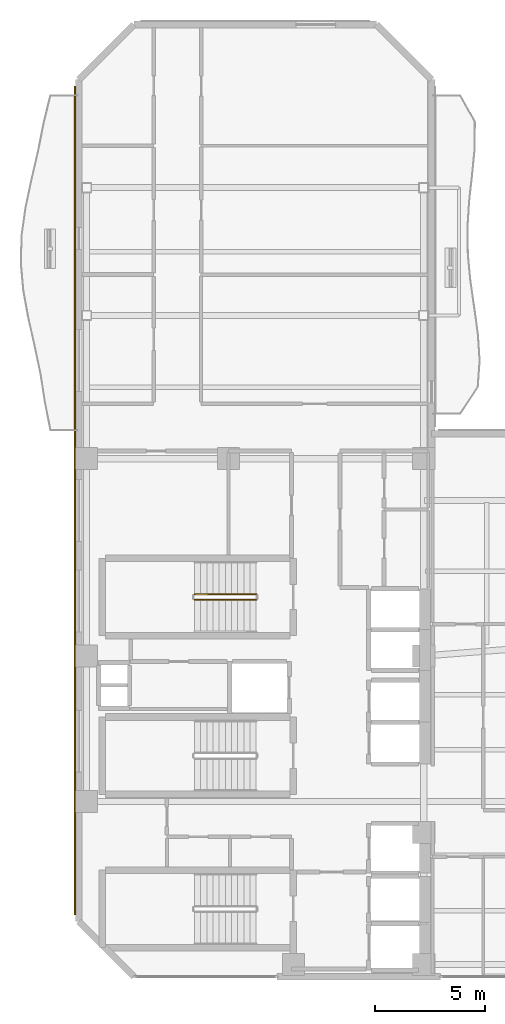
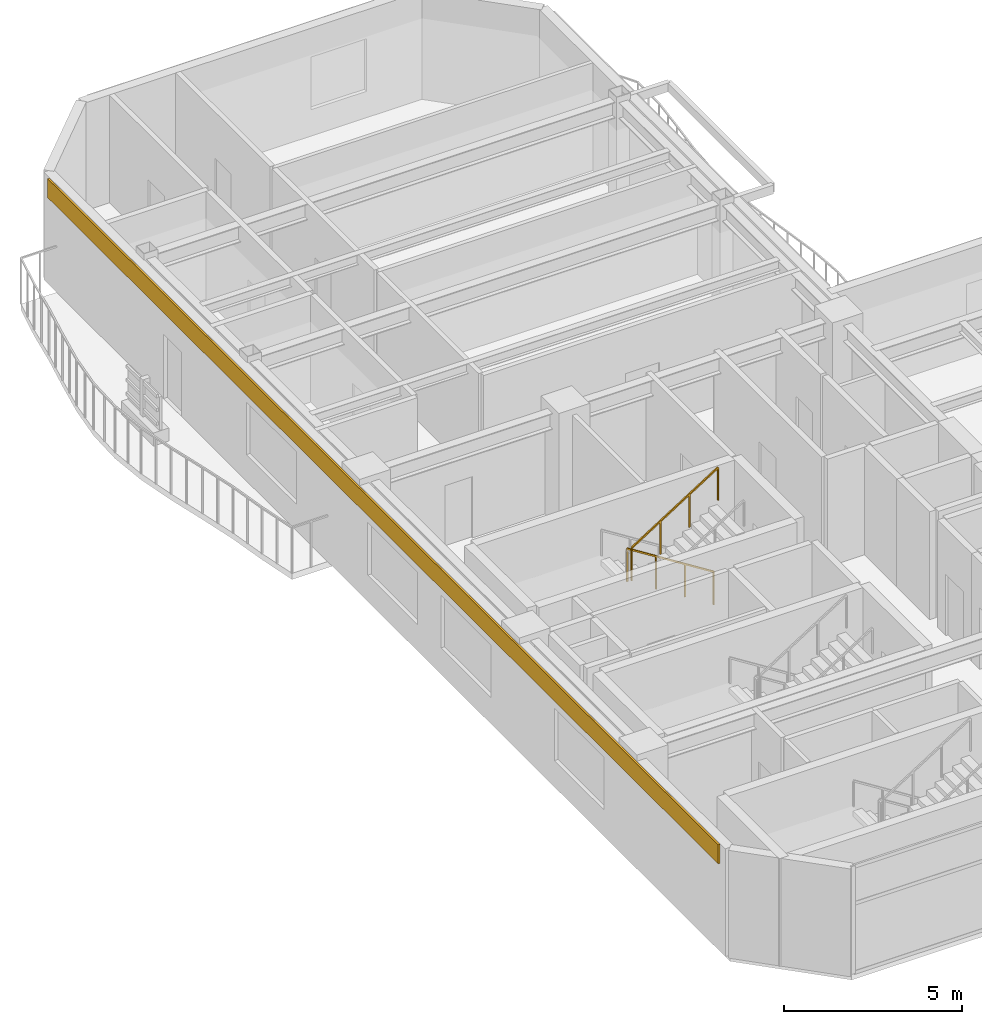
# One storey, part 14 of 17: 2 railings, 1 covering.
"""IFC4 building model written with IfcOpenShell, lengths in metres."""

from ifc_helpers import new_model, si_unit, direction, frame, origin, origin_2d, place, context, subcontext, project, spatial, rectangle, extrude, material, layer, layer_set, type_object, element, save


model = new_model("IFC4")

# Units and contexts
model_context = context("Model", 3, precision=1e-05, world=origin(), true_north=direction((0.0, 1.0)))
body_context = subcontext(model_context, "Body", "Model", "MODEL_VIEW")
ifc_project = project(units=[si_unit("LENGTHUNIT", "METRE"), si_unit("AREAUNIT", "SQUARE_METRE"), si_unit("VOLUMEUNIT", "CUBIC_METRE"), si_unit("PLANEANGLEUNIT", "RADIAN"), si_unit("MASSUNIT", "GRAM", prefix="KILO")], contexts=[model_context])

# Site, building, storey
site_placement = place(None, origin())
site = spatial("IfcSite", under=ifc_project, at=site_placement, CompositionType="ELEMENT")
building_placement = place(site_placement, origin())
building = spatial("IfcBuilding", under=site, at=building_placement, Name="Mawjaban Terraces University", CompositionType="ELEMENT")
storey_placement = place(building_placement, frame((0.0, 0.0, 183.60009765625)))
storey = spatial("IfcBuildingStorey", under=building, at=storey_placement, Name="L44", CompositionType="ELEMENT", Elevation=183.60009765625)

# Railings
ifc_material_1 = material(Name="Galvanised painted steel S355", Category="steel")
railing_type = type_object("IfcRailingType", Name="StairWellGuard_1150", PredefinedType="BALUSTRADE", material=ifc_material_1)
railing_1_placement = place(storey_placement, frame((30.050048828125, 17.35009765625, 0.17724609375)))
element("IfcRailing", 1, at=railing_1_placement, inside=storey, type_object=railing_type, Name="L44 ST-2 stair guard 1", PredefinedType="BALUSTRADE", context=body_context, shape_type="SweptSolid", body=[
    extrude(rectangle(XDim=0.048095703125, YDim=0.048095703125, at=origin_2d()), frame((0.0, 0.0, 1.1259765625), z_axis=(-0.844908973607, 0.0, 0.534910110503), x_axis=(0.0, -1.0, 0.0)), (0.0, 0.0, 1.0), 3.31396484375),
    extrude(rectangle(XDim=0.0419921875, YDim=0.0419921875, at=origin_2d()), origin(), (0.0, 0.0, 1.0), 1.101806640625),
    extrude(rectangle(XDim=0.0419921875, YDim=0.0419921875, at=origin_2d()), frame((-0.933349609375, 0.0, 0.5908203125)), (0.0, 0.0, 1.0), 1.101806640625),
    extrude(rectangle(XDim=0.0419921875, YDim=0.0419921875, at=origin_2d()), frame((-1.86669921875, 0.0, 1.181884765625)), (0.0, 0.0, 1.0), 1.101806640625),
    extrude(rectangle(XDim=0.0419921875, YDim=0.0419921875, at=origin_2d()), frame((-2.800048828125, 0.0, 1.772705078125)), (0.0, 0.0, 1.0), 1.101806640625),
])
railing_2_placement = place(storey_placement, frame((27.25, 17.10009765625, 2.127197265625)))
element("IfcRailing", 2, at=railing_2_placement, inside=storey, type_object=railing_type, Name="L44 ST-2 stair guard 3", PredefinedType="BALUSTRADE", context=body_context, shape_type="SweptSolid", body=[
    extrude(rectangle(XDim=0.048095703125, YDim=0.048095703125, at=origin_2d()), frame((0.0, 0.0, 1.1259765625), z_axis=(0.844908973607, 0.0, 0.534910110503), x_axis=(0.0, 1.0, 0.0)), (0.0, 0.0, 1.0), 3.31396484375),
    extrude(rectangle(XDim=0.0419921875, YDim=0.0419921875, at=origin_2d()), origin(), (0.0, 0.0, 1.0), 1.101806640625),
    extrude(rectangle(XDim=0.0419921875, YDim=0.0419921875, at=origin_2d()), frame((0.933349609375, 0.0, 0.5908203125)), (0.0, 0.0, 1.0), 1.101806640625),
    extrude(rectangle(XDim=0.0419921875, YDim=0.0419921875, at=origin_2d()), frame((1.86669921875, 0.0, 1.181884765625)), (0.0, 0.0, 1.0), 1.101806640625),
    extrude(rectangle(XDim=0.0419921875, YDim=0.0419921875, at=origin_2d()), frame((2.800048828125, 0.0, 1.772705078125)), (0.0, 0.0, 1.0), 1.101806640625),
])

# Covering
ifc_material_2 = material(Name="Glazed architectural terracotta rainscreen", Category="masonry")
ifc_layer = layer(ifc_material_2, 0.06005859375)
ifc_layer_set = layer_set([ifc_layer], Name="Glazed architectural terracotta rainscreen")
covering_type = type_object("IfcCoveringType", Name="TerracottaSpandrelCladding_60", PredefinedType="CLADDING", material=ifc_layer_set)
covering_placement = place(storey_placement, frame((21.824951171875, 21.60009765625, 3.014892578125), z_axis=(0.0, 0.0, 1.0), x_axis=(0.0, -1.0, 0.0)))
element("IfcCovering", 3, at=covering_placement, inside=storey, type_object=covering_type, Name="L44 Terracotta Spandrel Cladding 13", PredefinedType="CLADDING", context=body_context, shape_type="SweptSolid", body=[
    extrude(rectangle(XDim=37.60009765625, YDim=0.06005859375, at=origin_2d()), origin(), (0.0, 0.0, 1.0), 0.64990234375),
])

save(model, "model.ifc")
